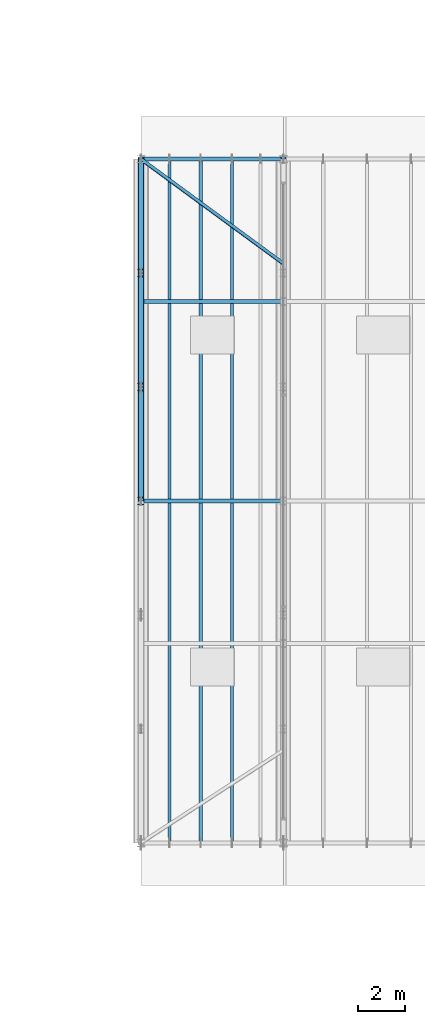
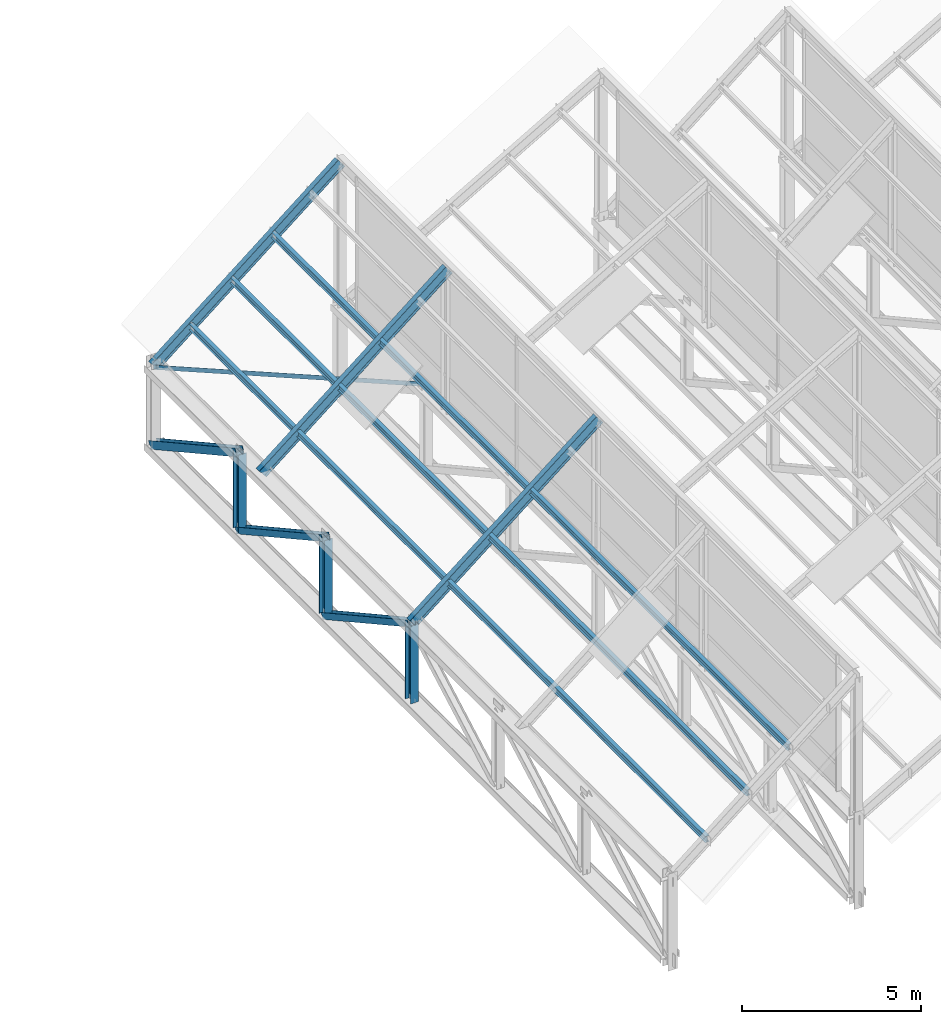
# One storey, part 20 of 101: 10 members, 3 beams.
"""IFC4 building model written with IfcOpenShell, lengths in metres."""

import ifcopenshell
import ifcopenshell.guid

model = None  # the IFC model being written
_history = None  # IfcOwnerHistory: only IFC2X3 demands one
_inside = {}  # id of a spatial element -> (the spatial element, [elements in it])
_under = {}  # id of a project, library or spatial element -> (it, [spatial elements below it])
_declared = {}  # id of a project -> (the project, [libraries it declares])
_typed = {}  # id of a type object -> (the type object, [elements of that type])
_made_of = {}  # id of a material, layer set ... -> (it, [elements and type objects made of it])


def new_model(schema):
    """Start an empty IFC model of exactly this schema.

    Asked for "IFC4X3", IfcOpenShell would pick the latest addendum, in which some entities
    have other attributes; the version numbers below select the first issue.
    IFC2X3 requires an IfcOwnerHistory on every rooted entity: one is made here for all.
    """
    global model, _history
    if schema == "IFC4X3":
        model = ifcopenshell.file(schema_version=(4, 3, 0, 0))
    else:
        model = ifcopenshell.file(schema=schema)
    _inside.clear()
    _under.clear()
    _declared.clear()
    _typed.clear()
    _made_of.clear()
    _history = None
    if model.schema == "IFC2X3":
        org = make("IfcOrganization", Name="unknown")
        user = make(
            "IfcPersonAndOrganization",
            ThePerson=make("IfcPerson", FamilyName="unknown"),
            TheOrganization=org,
        )
        app = make(
            "IfcApplication",
            ApplicationDeveloper=org,
            Version="unknown",
            ApplicationFullName="unknown",
            ApplicationIdentifier="unknown",
        )
        _history = make(
            "IfcOwnerHistory",
            OwningUser=user,
            OwningApplication=app,
            ChangeAction="ADDED",
            CreationDate=0,
        )
    return model


def make(cls, **values):
    """One entity of the class cls with the attributes given. An attribute that is None is left unset."""
    return model.create_entity(
        cls, **{name: value for name, value in values.items() if value is not None}
    )


def rooted(cls, **values):
    """An entity with a GlobalId (a new one), such as an element, a storey or a relation."""
    return make(cls, GlobalId=ifcopenshell.guid.new(), OwnerHistory=_history, **values)


def si_unit(unit_type, name, prefix=None):
    """IfcSIUnit, for example si_unit("LENGTHUNIT", "METRE", prefix="MILLI")."""
    return make("IfcSIUnit", UnitType=unit_type, Prefix=prefix, Name=name)


def assignment(units):
    """IfcUnitAssignment: the units of a project."""
    return None if units is None else make("IfcUnitAssignment", Units=units)


def point(xyz):
    """IfcCartesianPoint."""
    return None if xyz is None else make("IfcCartesianPoint", Coordinates=xyz)


def direction(xyz):
    """IfcDirection."""
    return None if xyz is None else make("IfcDirection", DirectionRatios=xyz)


def frame(location, z_axis=None, x_axis=None):
    """IfcAxis2Placement3D, a coordinate frame: its origin and axes. An axis left out is left unset."""
    return make(
        "IfcAxis2Placement3D",
        Location=point(location),
        Axis=direction(z_axis),
        RefDirection=direction(x_axis),
    )


def frame_2d(location, x_axis=None):
    """IfcAxis2Placement2D, a coordinate frame in the plane: its origin and x axis."""
    return make(
        "IfcAxis2Placement2D", Location=point(location), RefDirection=direction(x_axis)
    )


def origin():
    """The frame at (0, 0, 0) with its axes left unset."""
    return frame((0.0, 0.0, 0.0))


def origin_2d():
    """The frame at (0, 0) in the plane with its x axis left unset."""
    return frame_2d((0.0, 0.0))


def place(relative_to, where):
    """IfcLocalPlacement: puts the frame where relative to a parent placement (None: the world)."""
    return make(
        "IfcLocalPlacement", PlacementRelTo=relative_to, RelativePlacement=where
    )


def context(
    kind, dimensions, precision=None, world=None, true_north=None, identifier=None
):
    """IfcGeometricRepresentationContext, for example the 3D "Model" context."""
    return make(
        "IfcGeometricRepresentationContext",
        ContextIdentifier=identifier,
        ContextType=kind,
        CoordinateSpaceDimension=dimensions,
        Precision=precision,
        WorldCoordinateSystem=world,
        TrueNorth=true_north,
    )


def subcontext(parent, identifier, kind, view, scale=None):
    """IfcGeometricRepresentationSubContext, for example "Body" below "Model"."""
    return make(
        "IfcGeometricRepresentationSubContext",
        ContextIdentifier=identifier,
        ContextType=kind,
        ParentContext=parent,
        TargetScale=scale,
        TargetView=view,
    )


def project(units=None, contexts=None):
    """IfcProject with its units and contexts."""
    return rooted(
        "IfcProject",
        Name="project",
        RepresentationContexts=contexts,
        UnitsInContext=assignment(units),
    )


def spatial(cls, under=None, at=None, **own):
    """A site, building, storey or space (cls), placed at a placement, below another one or the project."""
    s = rooted(cls, ObjectPlacement=at, **own)
    if under is not None:
        _under.setdefault(under.id(), (under, []))[1].append(s)
    return s


def profile(cls, at=None, kind="AREA", **sizes):
    """A parametric profile (cls). Its sizes go by their IFC names, for example OverallWidth=200.0."""
    return make(cls, ProfileType=kind, Position=at, **sizes)


def i_section(**sizes):
    """IfcIShapeProfileDef."""
    return profile("IfcIShapeProfileDef", **sizes)


def l_section(**sizes):
    """IfcLShapeProfileDef."""
    return profile("IfcLShapeProfileDef", **sizes)


def extrude(swept, where, along, depth):
    """IfcExtrudedAreaSolid: the profile swept, set in the frame where, extruded along a direction by depth."""
    return make(
        "IfcExtrudedAreaSolid",
        SweptArea=swept,
        Position=where,
        ExtrudedDirection=direction(along),
        Depth=depth,
    )


def shape(context_of_items, identifier, shape_type, items):
    """IfcShapeRepresentation: the items that make up one representation, for example the "Body"."""
    return make(
        "IfcShapeRepresentation",
        ContextOfItems=context_of_items,
        RepresentationIdentifier=identifier,
        RepresentationType=shape_type,
        Items=items,
    )


def material(Name=None, Category=None):
    """IfcMaterial."""
    return make("IfcMaterial", Name=Name, Category=Category)


def material_profile(
    of_material, cross_section, Name=None, Category=None, Priority=None
):
    """IfcMaterialProfile: a cross section and its material."""
    return make(
        "IfcMaterialProfile",
        Name=Name,
        Material=of_material,
        Profile=cross_section,
        Priority=Priority,
        Category=Category,
    )


def profile_set(profiles, Name=None, composite=None):
    """IfcMaterialProfileSet."""
    return make(
        "IfcMaterialProfileSet",
        Name=Name,
        MaterialProfiles=profiles,
        CompositeProfile=composite,
    )


def made_of(thing, what):
    """Note that an element or type object is made of a material, layer set ...; save() writes the relation."""
    if what is not None:
        _made_of.setdefault(what.id(), (what, []))[1].append(thing)
    return thing


def type_object(cls, material=None, **own):
    """A type object (cls), such as IfcWallType, which elements share."""
    return made_of(rooted(cls, **own), material)


def element(
    cls,
    number,
    at=None,
    inside=None,
    cuts=None,
    type_object=None,
    material=None,
    context=None,
    identifier="Body",
    shape_type=None,
    held_by="IfcProductDefinitionShape",
    body=None,
    shapes=None,
    **own,
):
    """One element of the class cls, such as IfcWall. Its Tag is "e" and its number.

    at: its placement. inside: the storey or other place that contains it. cuts: it is an
    opening in that element (IfcRelVoidsElement). A single representation is given by context,
    identifier, shape_type and body (its items); several are given by shapes. held_by: the class
    of the entity that holds the representations. save() writes the other relations.
    """
    e = rooted(cls, Tag="e%d" % number, ObjectPlacement=at, **own)
    if body is not None:
        shapes = [shape(context, identifier, shape_type, body)]
    if shapes is not None:
        e.Representation = make(held_by, Representations=shapes)
    if inside is not None:
        _inside.setdefault(inside.id(), (inside, []))[1].append(e)
    if cuts is not None:
        rooted(
            "IfcRelVoidsElement", RelatingBuildingElement=cuts, RelatedOpeningElement=e
        )
    if type_object is not None:
        _typed.setdefault(type_object.id(), (type_object, []))[1].append(e)
    return made_of(e, material)


def aggregate(whole, parts):
    """IfcRelAggregates: a whole, such as a stair, and the parts it consists of."""
    return rooted("IfcRelAggregates", RelatingObject=whole, RelatedObjects=parts)


def save(model, path):
    """Write the relations noted so far, then the file.

    IfcRelAggregates (storeys below a building ...), IfcRelContainedInSpatialStructure (elements
    in a storey), IfcRelDefinesByType, IfcRelAssociatesMaterial and IfcRelDeclares: one each for
    every whole, place, type object, material and project.
    """
    for whole, parts in _under.values():
        aggregate(whole, parts)
    for where, things in _inside.values():
        rooted(
            "IfcRelContainedInSpatialStructure",
            RelatedElements=things,
            RelatingStructure=where,
        )
    for kind, things in _typed.values():
        rooted("IfcRelDefinesByType", RelatedObjects=things, RelatingType=kind)
    for what, things in _made_of.values():
        rooted("IfcRelAssociatesMaterial", RelatedObjects=things, RelatingMaterial=what)
    for by, libraries in _declared.values():
        rooted("IfcRelDeclares", RelatingContext=by, RelatedDefinitions=libraries)
    model.write(path)


model = new_model("IFC4")

# Units and contexts
model_context = context("Model", 3, precision=1e-05, world=origin(), true_north=direction((0.0, 1.0)))
body_context = subcontext(model_context, "Body", "Model", "MODEL_VIEW")
ifc_project = project(units=[si_unit("LENGTHUNIT", "METRE"), si_unit("AREAUNIT", "SQUARE_METRE"), si_unit("VOLUMEUNIT", "CUBIC_METRE"), si_unit("PLANEANGLEUNIT", "RADIAN"), si_unit("MASSUNIT", "GRAM", prefix="KILO"), si_unit("THERMODYNAMICTEMPERATUREUNIT", "KELVIN")], contexts=[model_context])

# Site, building, storey
site_placement = place(None, origin())
site = spatial("IfcSite", under=ifc_project, at=site_placement, CompositionType="ELEMENT")
building_placement = place(site_placement, origin())
building = spatial("IfcBuilding", under=site, at=building_placement, Name="Thalorik Housing Commons", CompositionType="ELEMENT")
storey_placement = place(building_placement, frame((0.0, 0.0, 8.10009765625)))
storey = spatial("IfcBuildingStorey", under=building, at=storey_placement, Name="L02", CompositionType="ELEMENT", Elevation=8.10009765625)

# Beams
ifc_material = material(Name="Steel S355", Category="steel")
ifc_material_profile_1 = material_profile(ifc_material, i_section(OverallWidth=0.1708984375, OverallDepth=0.35498046875, WebThickness=0.007080078125, FlangeThickness=0.01171875, FilletRadius=0.010009765625, at=origin_2d()), Name="W360x51", Category="steel")
ifc_profile_set_1 = profile_set([ifc_material_profile_1], Name="Steel S355")
beam_type = type_object("IfcBeamType", Name="STR-BM-W360x51", PredefinedType="BEAM", material=ifc_profile_set_1)
for number, where, z_axis, x_axis, name in (
    (1, (66.0, 72.0, 3.0), (0.777706721002, 0.0, 0.628627279163), (0.0, 1.0, 0.0), "L02 Sawtooth Bay 1 Rafter 3"),
    (2, (66.0, 80.39990234375, 3.0), (0.777706721002, 0.0, 0.628627279163), (0.0, 1.0, 0.0), "L02 Sawtooth Bay 1 Rafter 4"),
    (3, (66.0, 86.39990234375, 3.0), (0.777706721002, 0.0, 0.628627279163), (0.0, 1.0, 0.0), "L02 Sawtooth Bay 1 Rafter 5"),
):
    element("IfcBeam", number, at=place(storey_placement, frame(where, z_axis=z_axis, x_axis=x_axis)), inside=storey, type_object=beam_type, Name=name, PredefinedType="BEAM", context=body_context, shape_type="SweptSolid", body=[
        extrude(i_section(OverallWidth=0.1708984375, OverallDepth=0.35498046875, WebThickness=0.007080078125, FlangeThickness=0.01171875, FilletRadius=0.010009765625, at=origin_2d()), origin(), (0.0, 0.0, 1.0), 7.715087890625),
    ])

# Members
ifc_material_profile_2 = material_profile(ifc_material, i_section(OverallWidth=0.201904296875, OverallDepth=0.2470703125, WebThickness=0.00732421875, FlangeThickness=0.010986328125, FilletRadius=0.010009765625, at=origin_2d()), Name="W250x49", Category="steel")
ifc_profile_set_2 = profile_set([ifc_material_profile_2], Name="Steel S355")
member_type_1 = type_object("IfcMemberType", Name="STR-MEM-DIAG-250", PredefinedType="BRACE", material=ifc_profile_set_2)
for number, where, z_axis, x_axis, name in (
    (4, (66.0, 72.0, 3.0), (0.0, 0.875435421067, -0.48333510481), (0.0, 0.48333510481, 0.875435421067), "L02 Sawtooth Truss 1 Web Diagonal 4"),
    (5, (66.0, 76.800048828125, 3.0), (0.0, 0.875435421067, -0.48333510481), (0.0, 0.48333510481, 0.875435421067), "L02 Sawtooth Truss 1 Web Diagonal 5"),
):
    element("IfcMember", number, at=place(storey_placement, frame(where, z_axis=z_axis, x_axis=x_axis)), inside=storey, type_object=member_type_1, Name=name, PredefinedType="BRACE", context=body_context, shape_type="SweptSolid", body=[
        extrude(i_section(OverallWidth=0.201904296875, OverallDepth=0.2470703125, WebThickness=0.00732421875, FlangeThickness=0.010986328125, FilletRadius=0.010009765625, at=origin_2d()), origin(), (0.0, 0.0, 1.0), 5.483154296875),
    ])
ifc_material_profile_3 = material_profile(ifc_material, i_section(OverallWidth=0.25390625, OverallDepth=0.2529296875, WebThickness=0.008544921875, FlangeThickness=0.01416015625, FilletRadius=0.010009765625, at=origin_2d()), Name="W250x73", Category="steel")
ifc_profile_set_3 = profile_set([ifc_material_profile_3], Name="Steel S355")
member_type_2 = type_object("IfcMemberType", Name="STR-MEM-DIAG-250H", PredefinedType="BRACE", material=ifc_profile_set_3)
member_1_placement = place(storey_placement, frame((66.0, 81.60009765625, 3.0), z_axis=(0.0, 0.875425018498, -0.48335394587), x_axis=(0.0, 0.48335394587, 0.875425018498)))
element("IfcMember", 6, at=member_1_placement, inside=storey, type_object=member_type_2, Name="L02 Sawtooth Truss 1 Web Diagonal 6", PredefinedType="BRACE", context=body_context, shape_type="SweptSolid", body=[
    extrude(i_section(OverallWidth=0.25390625, OverallDepth=0.2529296875, WebThickness=0.008544921875, FlangeThickness=0.01416015625, FilletRadius=0.010009765625, at=origin_2d()), origin(), (0.0, 0.0, 1.0), 5.48291015625),
])
ifc_material_profile_4 = material_profile(ifc_material, i_section(OverallWidth=0.25390625, OverallDepth=0.305908203125, WebThickness=0.0087890625, FlangeThickness=0.0146484375, FilletRadius=0.010009765625, at=origin_2d()), Name="W310x79", Category="steel")
ifc_profile_set_4 = profile_set([ifc_material_profile_4], Name="Steel S355")
member_type_3 = type_object("IfcMemberType", Name="STR-MEM-POST-310", PredefinedType="POST", material=ifc_profile_set_4)
for number, where, z_axis, x_axis, name in (
    (7, (66.0, 72.0, 0.349853515625), (0.0, 0.0, 1.0), (1.0, 0.0, 0.0), "L02 Sawtooth Truss 1 Vertical 3"),
    (8, (66.0, 76.800048828125, 0.349853515625), (0.0, 0.0, 1.0), (1.0, 0.0, 0.0), "L02 Sawtooth Truss 1 Vertical 4"),
    (9, (66.0, 81.60009765625, 0.349853515625), (0.0, 0.0, 1.0), (1.0, 0.0, 0.0), "L02 Sawtooth Truss 1 Vertical 5"),
):
    element("IfcMember", number, at=place(storey_placement, frame(where, z_axis=z_axis, x_axis=x_axis)), inside=storey, type_object=member_type_3, Name=name, PredefinedType="POST", context=body_context, shape_type="SweptSolid", body=[
        extrude(i_section(OverallWidth=0.25390625, OverallDepth=0.305908203125, WebThickness=0.0087890625, FlangeThickness=0.0146484375, FilletRadius=0.010009765625, at=origin_2d()), origin(), (0.0, 0.0, 1.0), 2.650146484375),
    ])
ifc_material_profile_5 = material_profile(ifc_material, i_section(OverallWidth=0.133056640625, OverallDepth=0.20703125, WebThickness=0.005859375, FlangeThickness=0.00830078125, FilletRadius=0.008056640625, at=origin_2d()), Name="W200x27", Category="steel")
ifc_profile_set_5 = profile_set([ifc_material_profile_5], Name="Steel S355")
member_type_4 = type_object("IfcMemberType", Name="STR-MEM-PUR-200", PredefinedType="PURLIN", material=ifc_profile_set_5)
for number, where, z_axis, x_axis, name in (
    (10, (67.199951171875, 57.60009765625, 3.93408203125), (0.0, 1.0, 0.0), (-1.0, 0.0, 0.0), "L02 Sawtooth Bay 1 Roof Purlin 1"),
    (11, (68.52001953125, 57.60009765625, 5.05615234375), (0.0, 1.0, 0.0), (-1.0, 0.0, 0.0), "L02 Sawtooth Bay 1 Roof Purlin 2"),
    (12, (69.840087890625, 57.60009765625, 6.143798828125), (0.0, 1.0, 0.0), (-1.0, 0.0, 0.0), "L02 Sawtooth Bay 1 Roof Purlin 3"),
):
    element("IfcMember", number, at=place(storey_placement, frame(where, z_axis=z_axis, x_axis=x_axis)), inside=storey, type_object=member_type_4, Name=name, PredefinedType="PURLIN", context=body_context, shape_type="SweptSolid", body=[
        extrude(i_section(OverallWidth=0.133056640625, OverallDepth=0.20703125, WebThickness=0.005859375, FlangeThickness=0.00830078125, FilletRadius=0.008056640625, at=origin_2d()), origin(), (0.0, 0.0, 1.0), 28.7998046875),
    ])
ifc_material_profile_6 = material_profile(ifc_material, l_section(Depth=0.14990234375, Width=0.14990234375, Thickness=0.013916015625, FilletRadius=0.010009765625, at=origin_2d()), Name="L150x150x14", Category="steel")
ifc_profile_set_6 = profile_set([ifc_material_profile_6], Name="Steel S355")
member_type_5 = type_object("IfcMemberType", Name="STR-MEM-TIE-L150", PredefinedType="BRACE", material=ifc_profile_set_6)
member_2_placement = place(storey_placement, frame((66.0, 86.39990234375, 3.0), z_axis=(0.80641125493, -0.591355128432, 0.0), x_axis=(0.591355128432, 0.80641125493, 0.0)))
element("IfcMember", 13, at=member_2_placement, inside=storey, type_object=member_type_5, Name="L02 Sawtooth Bay 1 Wind Brace N", PredefinedType="BRACE", context=body_context, shape_type="SweptSolid", body=[
    extrude(l_section(Depth=0.14990234375, Width=0.14990234375, Thickness=0.013916015625, FilletRadius=0.010009765625, at=origin_2d()), origin(), (0.0, 0.0, 1.0), 7.4404296875),
])

save(model, "model.ifc")
